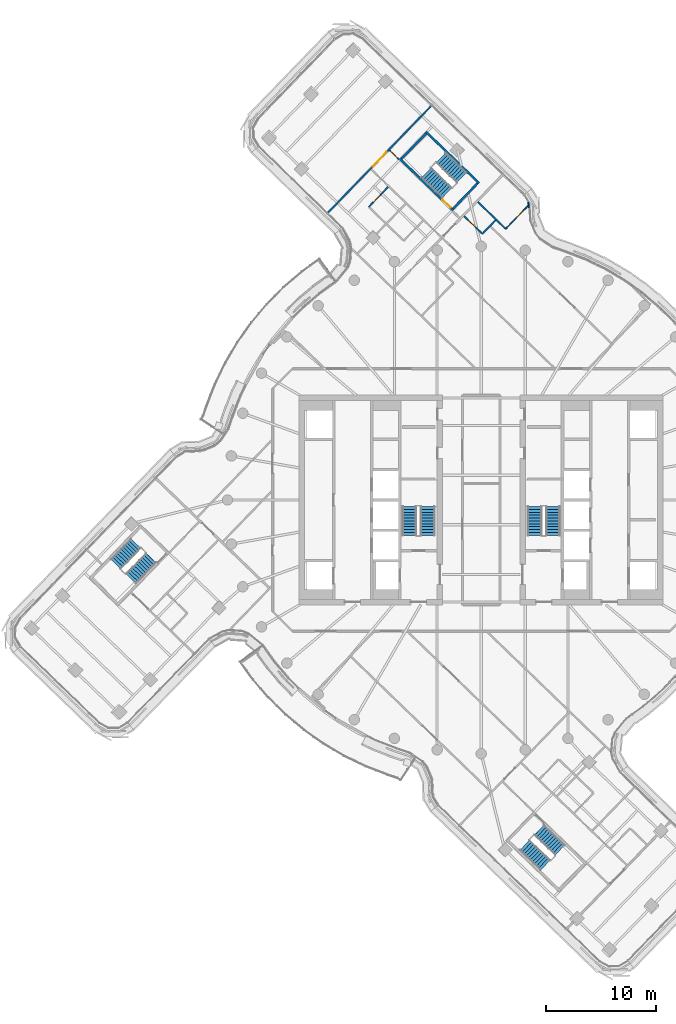
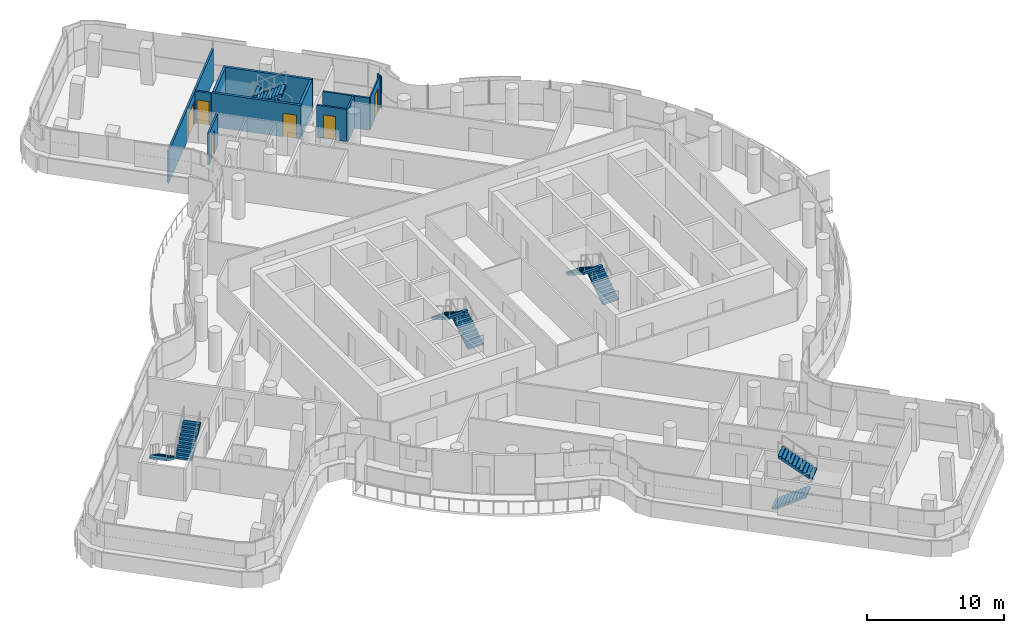
# One storey, part 23 of 31: 12 walls, 10 stair flights, 6 doors, 6 openings, 5 elements without a shape of their own.
"""IFC4 building model written with IfcOpenShell, lengths in metres."""

from ifc_helpers import new_model, si_unit, direction, frame, frame_2d, origin, place, context, subcontext, project, spatial, polyline, rectangle, outline, extrude, material, layer, layer_set, type_object, element, fill, aggregate, save


model = new_model("IFC4")

# Units and contexts
model_context = context("Model", 3, precision=1e-05, world=origin(), true_north=direction((0.0, 1.0)))
body_context = subcontext(model_context, "Body", "Model", "MODEL_VIEW")
ifc_project = project(units=[si_unit("LENGTHUNIT", "METRE"), si_unit("AREAUNIT", "SQUARE_METRE"), si_unit("VOLUMEUNIT", "CUBIC_METRE"), si_unit("PLANEANGLEUNIT", "RADIAN"), si_unit("MASSUNIT", "GRAM", prefix="KILO")], contexts=[model_context])

# Site, building, storey
site_placement = place(None, origin())
site = spatial("IfcSite", under=ifc_project, at=site_placement, CompositionType="ELEMENT")
building_placement = place(site_placement, origin())
building = spatial("IfcBuilding", under=site, at=building_placement, Name="Tamarind Cross Interchange Tower", CompositionType="ELEMENT")
storey_placement = place(building_placement, frame((0.0, 0.0, 200.5)))
storey = spatial("IfcBuildingStorey", under=building, at=storey_placement, Name="L50", CompositionType="ELEMENT", Elevation=200.5)

# Wall, opening, door
ifc_material_1 = material(Name="Gypsum board partition on steel studs", Category="steel")
ifc_layer_1 = layer(ifc_material_1, 0.10009765625)
ifc_layer_set_1 = layer_set([ifc_layer_1], Name="Gypsum board partition on steel studs")
wall_type_1 = type_object("IfcWallType", Name="Partition 100 mm EI 90", PredefinedType="PARTITIONING", material=ifc_layer_set_1)
wall_1_placement = place(storey_placement, frame((2.219970703125, 24.5830078125, 0.0), z_axis=(0.0, 0.0, 1.0), x_axis=(0.695100387208, 0.718912687121, 0.0)))
wall_1 = element("IfcWall", 1, at=wall_1_placement, inside=storey, type_object=wall_type_1, Name="Partition L50-054", PredefinedType="PARTITIONING", context=body_context, shape_type="SweptSolid", body=[
    extrude(rectangle(XDim=2.901611328125, YDim=0.10009765625, at=frame_2d((1.45068359375, 0.0))), origin(), (0.0, 0.0, 1.0), 2.864013671875),
])
opening_1_placement = place(wall_1_placement, frame((1.35009765625, 0.0, 0.0)))
opening_1 = element("IfcOpeningElement", 2, at=opening_1_placement, cuts=wall_1, Name="Opening D31", PredefinedType="OPENING", context=body_context, shape_type="SweptSolid", body=[
    extrude(rectangle(XDim=0.89990234375, YDim=2.10009765625, at=frame_2d((0.449951171875, 1.050048828125))), frame((0.0, 0.06005859375, 0.0), z_axis=(0.0, -1.0, 0.0), x_axis=(1.0, 0.0, 0.0)), (0.0, 0.0, 1.0), 0.1201171875),
])
ifc_material_2 = material(Name="Fire-resisting door set")
door_type_1 = type_object("IfcDoorType", Name="Interior door 900 x 2100 FD60S", OperationType="SINGLE_SWING_LEFT", PredefinedType="DOOR", material=ifc_material_2)
door_1_placement = place(opening_1_placement, origin())
door_1 = element("IfcDoor", 3, at=door_1_placement, inside=storey, type_object=door_type_1, Name="Door D31", OperationType="SINGLE_SWING_LEFT", OverallHeight=2.10009765625, OverallWidth=0.89990234375, PredefinedType="DOOR", context=body_context, shape_type="SweptSolid", body=[
    extrude(rectangle(XDim=0.89990234375, YDim=2.10009765625, at=frame_2d((0.449951171875, 1.050048828125))), frame((0.0, 0.02490234375, 0.0), z_axis=(0.0, -1.0, 0.0), x_axis=(1.0, 0.0, 0.0)), (0.0, 0.0, 1.0), 0.050048828125),
])
fill(opening_1, door_1)

# Wall
wall_2_placement = place(storey_placement, frame((4.3251953125, 26.481689453125, 0.0), z_axis=(0.0, 0.0, 1.0), x_axis=(-0.117181186143, 0.993110552564, 0.0)))
element("IfcWall", 4, at=wall_2_placement, inside=storey, type_object=wall_type_1, Name="Partition L50-072", PredefinedType="PARTITIONING", context=body_context, shape_type="SweptSolid", body=[
    extrude(rectangle(XDim=0.5, YDim=0.10009765625, at=frame_2d((0.25, 0.0))), origin(), (0.0, 0.0, 1.0), 2.864013671875),
])

# Wall, opening, door
ifc_layer_2 = layer(ifc_material_1, 0.14990234375)
ifc_layer_set_2 = layer_set([ifc_layer_2], Name="Gypsum board partition on steel studs")
wall_type_2 = type_object("IfcWallType", Name="Partition 150 mm EI 120", PredefinedType="PARTITIONING", material=ifc_layer_set_2)
wall_3_placement = place(storey_placement, frame((-8.3115234375, 31.703369140625, 0.0), z_axis=(0.0, 0.0, 1.0), x_axis=(0.719109009624, -0.694897281818, 0.0)))
wall_3 = element("IfcWall", 5, at=wall_3_placement, inside=storey, type_object=wall_type_2, Name="Partition L50-013", PredefinedType="PARTITIONING", context=body_context, shape_type="SweptSolid", body=[
    extrude(rectangle(XDim=1.1796875, YDim=0.14990234375, at=frame_2d((0.58984375, 0.0))), origin(), (0.0, 0.0, 1.0), 2.864013671875),
])
opening_2_placement = place(wall_3_placement, frame((0.1298828125, 0.0, 0.0)))
opening_2 = element("IfcOpeningElement", 6, at=opening_2_placement, cuts=wall_3, Name="Opening D08", PredefinedType="OPENING", context=body_context, shape_type="SweptSolid", body=[
    extrude(rectangle(XDim=0.89990234375, YDim=2.10009765625, at=frame_2d((0.449951171875, 1.050048828125))), frame((0.0, 0.0849609375, 0.0), z_axis=(0.0, -1.0, 0.0), x_axis=(1.0, 0.0, 0.0)), (0.0, 0.0, 1.0), 0.169921875),
])
door_2_placement = place(opening_2_placement, origin())
door_2 = element("IfcDoor", 7, at=door_2_placement, inside=storey, type_object=door_type_1, Name="Door D08", OperationType="SINGLE_SWING_RIGHT", OverallHeight=2.10009765625, OverallWidth=0.89990234375, PredefinedType="DOOR", context=body_context, shape_type="SweptSolid", body=[
    extrude(rectangle(XDim=0.89990234375, YDim=2.10009765625, at=frame_2d((0.449951171875, 1.050048828125))), frame((0.0, 0.02490234375, 0.0), z_axis=(0.0, -1.0, 0.0), x_axis=(1.0, 0.0, 0.0)), (0.0, 0.0, 1.0), 0.050048828125),
])
fill(opening_2, door_2)

wall_4_placement = place(storey_placement, frame((-1.548095703125, 25.721435546875, 0.0), z_axis=(0.0, 0.0, 1.0), x_axis=(0.718940736349, -0.695071375916, 0.0)))
wall_4 = element("IfcWall", 8, at=wall_4_placement, inside=storey, type_object=wall_type_2, Name="Partition L50-018", PredefinedType="PARTITIONING", context=body_context, shape_type="SweptSolid", body=[
    extrude(rectangle(XDim=2.219482421875, YDim=0.14990234375, at=frame_2d((1.10986328125, 0.0))), origin(), (0.0, 0.0, 1.0), 2.864013671875),
])
opening_3_placement = place(wall_4_placement, frame((0.5, 0.0, 0.0)))
opening_3 = element("IfcOpeningElement", 9, at=opening_3_placement, cuts=wall_4, Name="Opening D11", PredefinedType="OPENING", context=body_context, shape_type="SweptSolid", body=[
    extrude(rectangle(XDim=0.89990234375, YDim=2.10009765625, at=frame_2d((0.449951171875, 1.050048828125))), frame((0.0, 0.0849609375, 0.0), z_axis=(0.0, -1.0, 0.0), x_axis=(1.0, 0.0, 0.0)), (0.0, 0.0, 1.0), 0.169921875),
])
door_3_placement = place(opening_3_placement, origin())
door_3 = element("IfcDoor", 10, at=door_3_placement, inside=storey, type_object=door_type_1, Name="Door D11", OperationType="SINGLE_SWING_RIGHT", OverallHeight=2.10009765625, OverallWidth=0.89990234375, PredefinedType="DOOR", context=body_context, shape_type="SweptSolid", body=[
    extrude(rectangle(XDim=0.89990234375, YDim=2.10009765625, at=frame_2d((0.449951171875, 1.050048828125))), frame((0.0, 0.02490234375, 0.0), z_axis=(0.0, -1.0, 0.0), x_axis=(1.0, 0.0, 0.0)), (0.0, 0.0, 1.0), 0.050048828125),
])
fill(opening_3, door_3)

# Wall
wall_5_placement = place(storey_placement, frame((-0.297119140625, 27.0166015625, 0.0), z_axis=(0.0, 0.0, 1.0), x_axis=(0.718866356864, -0.695148301422, 0.0)))
element("IfcWall", 11, at=wall_5_placement, inside=storey, type_object=wall_type_2, Name="Partition L50-019", PredefinedType="PARTITIONING", context=body_context, shape_type="SweptSolid", body=[
    extrude(rectangle(XDim=3.499755859375, YDim=0.14990234375, at=frame_2d((1.75, 0.0))), origin(), (0.0, 0.0, 1.0), 2.864013671875),
])

# Wall, opening, door
wall_6_placement = place(storey_placement, frame((-13.88330078125, 26.0546875, 0.0), z_axis=(0.0, 0.0, 1.0), x_axis=(0.695083477894, 0.718929035969, 0.0)))
wall_6 = element("IfcWall", 12, at=wall_6_placement, inside=storey, type_object=wall_type_2, Name="Partition L50-047", PredefinedType="PARTITIONING", context=body_context, shape_type="SweptSolid", body=[
    extrude(rectangle(XDim=13.432861328125, YDim=0.14990234375, at=frame_2d((6.71630859375, 0.0))), origin(), (0.0, 0.0, 1.0), 2.864013671875),
])
opening_4_placement = place(wall_6_placement, frame((5.83349609375, 0.0, 0.0)))
opening_4 = element("IfcOpeningElement", 13, at=opening_4_placement, cuts=wall_6, Name="Opening D26", PredefinedType="OPENING", context=body_context, shape_type="SweptSolid", body=[
    extrude(rectangle(XDim=1.800048828125, YDim=2.10009765625, at=frame_2d((0.89990234375, 1.050048828125))), frame((0.0, 0.0849609375, 0.0), z_axis=(0.0, -1.0, 0.0), x_axis=(1.0, 0.0, 0.0)), (0.0, 0.0, 1.0), 0.169921875),
])
door_type_2 = type_object("IfcDoorType", Name="Interior door 1800 x 2100 FD60S", OperationType="DOUBLE_DOOR_SINGLE_SWING", PredefinedType="DOOR", material=ifc_material_2)
door_4_placement = place(opening_4_placement, origin())
door_4 = element("IfcDoor", 14, at=door_4_placement, inside=storey, type_object=door_type_2, Name="Door D26", OperationType="DOUBLE_DOOR_SINGLE_SWING", OverallHeight=2.10009765625, OverallWidth=1.800048828125, PredefinedType="DOOR", context=body_context, shape_type="SweptSolid", body=[
    extrude(rectangle(XDim=1.800048828125, YDim=2.10009765625, at=frame_2d((0.89990234375, 1.050048828125))), frame((0.0, 0.02490234375, 0.0), z_axis=(0.0, -1.0, 0.0), x_axis=(1.0, 0.0, 0.0)), (0.0, 0.0, 1.0), 0.050048828125),
])
fill(opening_4, door_4)

wall_7_placement = place(storey_placement, frame((-10.18994140625, 26.56591796875, 0.0), z_axis=(0.0, 0.0, 1.0), x_axis=(0.695038793362, 0.71897223571, 0.0)))
wall_7 = element("IfcWall", 15, at=wall_7_placement, inside=storey, type_object=wall_type_2, Name="Partition L50-050", PredefinedType="PARTITIONING", context=body_context, shape_type="SweptSolid", body=[
    extrude(rectangle(XDim=2.51953125, YDim=0.14990234375, at=frame_2d((1.259765625, 0.0))), origin(), (0.0, 0.0, 1.0), 2.864013671875),
])
opening_5_placement = place(wall_7_placement, frame((0.60009765625, 0.0, 0.0)))
opening_5 = element("IfcOpeningElement", 16, at=opening_5_placement, cuts=wall_7, Name="Opening D27", PredefinedType="OPENING", context=body_context, shape_type="SweptSolid", body=[
    extrude(rectangle(XDim=0.89990234375, YDim=2.10009765625, at=frame_2d((0.449951171875, 1.050048828125))), frame((0.0, 0.0849609375, 0.0), z_axis=(0.0, -1.0, 0.0), x_axis=(1.0, 0.0, 0.0)), (0.0, 0.0, 1.0), 0.169921875),
])
door_5_placement = place(opening_5_placement, frame((0.89990234375, 0.0, 0.0), z_axis=(0.0, 0.0, 1.0), x_axis=(-1.0, 0.0, 0.0)))
door_5 = element("IfcDoor", 17, at=door_5_placement, inside=storey, type_object=door_type_1, Name="Door D27", OperationType="SINGLE_SWING_LEFT", OverallHeight=2.10009765625, OverallWidth=0.89990234375, PredefinedType="DOOR", context=body_context, shape_type="SweptSolid", body=[
    extrude(rectangle(XDim=0.89990234375, YDim=2.10009765625, at=frame_2d((0.449951171875, 1.050048828125))), frame((0.0, 0.02490234375, 0.0), z_axis=(0.0, -1.0, 0.0), x_axis=(1.0, 0.0, 0.0)), (0.0, 0.0, 1.0), 0.050048828125),
])
fill(opening_5, door_5)

# Wall
wall_8_placement = place(storey_placement, frame((0.1025390625, 24.12548828125, 0.0), z_axis=(0.0, 0.0, 1.0), x_axis=(0.694508401996, 0.719484592995, 0.0)))
element("IfcWall", 18, at=wall_8_placement, inside=storey, type_object=wall_type_2, Name="Partition L50-056", PredefinedType="PARTITIONING", context=body_context, shape_type="SweptSolid", body=[
    extrude(rectangle(XDim=1.720458984375, YDim=0.14990234375, at=frame_2d((0.8603515625, 0.0))), origin(), (0.0, 0.0, 1.0), 2.864013671875),
])

# Wall, opening, door
ifc_material_3 = material(Name="Concrete C40", Category="concrete")
ifc_layer_3 = layer(ifc_material_3, 0.199951171875)
ifc_layer_set_3 = layer_set([ifc_layer_3], Name="Concrete C40")
wall_type_3 = type_object("IfcWallType", Name="Stair shaft wall 200 mm Concrete C40", PredefinedType="SHEAR", material=ifc_layer_set_3)
wall_9_placement = place(storey_placement, frame((-2.547607421875, 26.270751953125, -0.139892578125), z_axis=(0.0, 0.0, 1.0), x_axis=(-0.718993231632, 0.695017073796, 0.0)))
wall_9 = element("IfcWall", 19, at=wall_9_placement, inside=storey, type_object=wall_type_3, Name="Core wall CWL-L50-ST4-H", PredefinedType="SHEAR", context=body_context, shape_type="SweptSolid", body=[
    extrude(rectangle(XDim=6.7001953125, YDim=0.199951171875, at=frame_2d((3.35009765625, 0.0))), origin(), (0.0, 0.0, 1.0), 3.00390625),
])
opening_6_placement = place(wall_9_placement, frame((0.35009765625, 0.0, 0.0)))
opening_6 = element("IfcOpeningElement", 20, at=opening_6_placement, cuts=wall_9, Name="Opening ST4L50", PredefinedType="OPENING", context=body_context, shape_type="SweptSolid", body=[
    extrude(rectangle(XDim=1.0, YDim=2.10009765625, at=frame_2d((0.5, 1.050048828125))), frame((0.0, 0.10986328125, 0.0), z_axis=(0.0, -1.0, 0.0), x_axis=(1.0, 0.0, 0.0)), (0.0, 0.0, 1.0), 0.219970703125),
])
ifc_material_4 = material(Name="Steel, fire-resisting", Category="steel")
door_type_3 = type_object("IfcDoorType", Name="Core fire door 1000 x 2100 FD90", OperationType="SINGLE_SWING_LEFT", PredefinedType="DOOR", material=ifc_material_4)
door_6_placement = place(opening_6_placement, origin())
door_6 = element("IfcDoor", 21, at=door_6_placement, inside=storey, type_object=door_type_3, Name="L50 stair door ST4", OperationType="SINGLE_SWING_LEFT", OverallHeight=2.10009765625, OverallWidth=1.0, PredefinedType="DOOR", context=body_context, shape_type="SweptSolid", body=[
    extrude(rectangle(XDim=1.0, YDim=2.10009765625, at=frame_2d((0.5, 1.050048828125))), frame((0.0, 0.02490234375, 0.0), z_axis=(0.0, -1.0, 0.0), x_axis=(1.0, 0.0, 0.0)), (0.0, 0.0, 1.0), 0.050048828125),
])
fill(opening_6, door_6)

# Walls
wall_10_placement = place(storey_placement, frame((-0.1845703125, 28.71533203125, -0.139892578125), z_axis=(0.0, 0.0, 1.0), x_axis=(-0.718975629644, 0.695035282542, 0.0)))
element("IfcWall", 22, at=wall_10_placement, inside=storey, type_object=wall_type_3, Name="Core wall CWL-L50-ST4-C", PredefinedType="SHEAR", context=body_context, shape_type="SweptSolid", body=[
    extrude(rectangle(XDim=6.699951171875, YDim=0.199951171875, at=frame_2d((3.35009765625, 0.0))), origin(), (0.0, 0.0, 1.0), 3.00390625),
])
wall_11_placement = place(storey_placement, frame((-0.325927734375, 28.712890625, -0.139892578125), z_axis=(0.0, 0.0, 1.0), x_axis=(-0.695027355379, -0.718983292765, 0.0)))
element("IfcWall", 23, at=wall_11_placement, inside=storey, type_object=wall_type_3, Name="Core wall CWL-L50-ST4-CE", PredefinedType="SHEAR", context=body_context, shape_type="SweptSolid", body=[
    extrude(rectangle(XDim=3.199951171875, YDim=0.199951171875, at=frame_2d((1.60009765625, 0.0))), origin(), (0.0, 0.0, 1.0), 3.00390625),
])
wall_12_placement = place(storey_placement, frame((0.0, 0.0, -0.139892578125)))
element("IfcWall", 24, at=wall_12_placement, inside=storey, type_object=wall_type_3, Name="Core wall CWL-L50-ST4-CF", PredefinedType="SHEAR", context=body_context, shape_type="SweptSolid", body=[
    extrude(outline(polyline([(-4.927490234375, 33.1611328125), (-5.0712890625, 33.300048828125), (-7.29541015625, 30.999267578125), (-7.151611328125, 30.8603515625), (-4.927490234375, 33.1611328125)])), origin(), (0.0, 0.0, 1.0), 3.00390625),
])

# Stair, stair flights
ifc_material_5 = material(Name="Exit stair")
stair_type = type_object("IfcStairType", Name="Exit stair", PredefinedType="HALF_TURN_STAIR", material=ifc_material_5)
stair_1_placement = place(storey_placement, origin())
stair_1 = element("IfcStair", 25, at=stair_1_placement, inside=storey, type_object=stair_type, Name="L50 exit stair ST1", PredefinedType="HALF_TURN_STAIR")
ifc_material_6 = material(Name="Exit stair flight")
stair_flight_type = type_object("IfcStairFlightType", Name="Exit stair flight", PredefinedType="STRAIGHT", material=ifc_material_6)
stair_flight_1_placement = place(storey_placement, frame((-4.85009765625, -3.199951171875, 0.0), z_axis=(0.0, 0.0, 1.0), x_axis=(0.0, 1.0, 0.0)))
stair_flight_1 = element("IfcStairFlight", 26, at=stair_flight_1_placement, type_object=stair_flight_type, Name="ST1 flight 1", NumberOfRisers=11, NumberOfTreads=10, PredefinedType="STRAIGHT", RiserHeight=0.163636364, TreadLength=0.26, context=body_context, shape_type="SweptSolid", body=[
    extrude(outline(polyline([(0.0, 0.0), (0.0, 0.16357421875), (0.260009765625, 0.16357421875), (0.260009765625, 0.327392578125), (0.52001953125, 0.327392578125), (0.52001953125, 0.490966796875), (0.780029296875, 0.490966796875), (0.780029296875, 0.654541015625), (1.0400390625, 0.654541015625), (1.0400390625, 0.818115234375), (1.300048828125, 0.818115234375), (1.300048828125, 0.98193359375), (1.56005859375, 0.98193359375), (1.56005859375, 1.1455078125), (1.820068359375, 1.1455078125), (1.820068359375, 1.30908203125), (2.080078125, 1.30908203125), (2.080078125, 1.47265625), (2.340087890625, 1.47265625), (2.340087890625, 1.636474609375), (2.60009765625, 1.636474609375), (2.60009765625, 1.800048828125), (2.60009765625, 1.459228515625), (0.281494140625, 0.0), (0.0, 0.0)])), frame((0.0, 0.64990234375, 0.0), z_axis=(0.0, -1.0, 0.0), x_axis=(1.0, 0.0, 0.0)), (0.0, 0.0, 1.0), 1.300048828125),
])
stair_flight_2_placement = place(storey_placement, frame((-6.5, -0.60009765625, 1.800048828125), z_axis=(0.0, 0.0, 1.0), x_axis=(0.0, -1.0, 0.0)))
stair_flight_2 = element("IfcStairFlight", 27, at=stair_flight_2_placement, type_object=stair_flight_type, Name="ST1 flight 2", NumberOfRisers=11, NumberOfTreads=10, PredefinedType="STRAIGHT", RiserHeight=0.163636364, TreadLength=0.26, context=body_context, shape_type="SweptSolid", body=[
    extrude(outline(polyline([(0.0, 0.0), (0.0, 0.16357421875), (0.260009765625, 0.16357421875), (0.260009765625, 0.327392578125), (0.52001953125, 0.327392578125), (0.52001953125, 0.490966796875), (0.780029296875, 0.490966796875), (0.780029296875, 0.654541015625), (1.0400390625, 0.654541015625), (1.0400390625, 0.818115234375), (1.300048828125, 0.818115234375), (1.300048828125, 0.98193359375), (1.56005859375, 0.98193359375), (1.56005859375, 1.1455078125), (1.820068359375, 1.1455078125), (1.820068359375, 1.30908203125), (2.080078125, 1.30908203125), (2.080078125, 1.47265625), (2.340087890625, 1.47265625), (2.340087890625, 1.636474609375), (2.60009765625, 1.636474609375), (2.60009765625, 1.679931640625), (2.612060546875, 1.679931640625), (2.612060546875, 1.466796875), (0.281494140625, 0.0), (0.0, 0.0)])), frame((0.0, 0.64990234375, 0.0), z_axis=(0.0, -1.0, 0.0), x_axis=(1.0, 0.0, 0.0)), (0.0, 0.0, 1.0), 1.300048828125),
])
aggregate(stair_1, [stair_flight_1, stair_flight_2])

stair_2_placement = place(storey_placement, origin())
stair_2 = element("IfcStair", 28, at=stair_2_placement, inside=storey, type_object=stair_type, Name="L50 exit stair ST2", PredefinedType="HALF_TURN_STAIR")
stair_flight_3_placement = place(storey_placement, frame((6.5, -3.199951171875, 0.0), z_axis=(0.0, 0.0, 1.0), x_axis=(0.0, 1.0, 0.0)))
stair_flight_3 = element("IfcStairFlight", 29, at=stair_flight_3_placement, type_object=stair_flight_type, Name="ST2 flight 1", NumberOfRisers=11, NumberOfTreads=10, PredefinedType="STRAIGHT", RiserHeight=0.163636364, TreadLength=0.26, context=body_context, shape_type="SweptSolid", body=[
    extrude(outline(polyline([(0.0, 0.0), (0.0, 0.16357421875), (0.260009765625, 0.16357421875), (0.260009765625, 0.327392578125), (0.52001953125, 0.327392578125), (0.52001953125, 0.490966796875), (0.780029296875, 0.490966796875), (0.780029296875, 0.654541015625), (1.0400390625, 0.654541015625), (1.0400390625, 0.818115234375), (1.300048828125, 0.818115234375), (1.300048828125, 0.98193359375), (1.56005859375, 0.98193359375), (1.56005859375, 1.1455078125), (1.820068359375, 1.1455078125), (1.820068359375, 1.30908203125), (2.080078125, 1.30908203125), (2.080078125, 1.47265625), (2.340087890625, 1.47265625), (2.340087890625, 1.636474609375), (2.60009765625, 1.636474609375), (2.60009765625, 1.800048828125), (2.60009765625, 1.459228515625), (0.281494140625, 0.0), (0.0, 0.0)])), frame((0.0, 0.64990234375, 0.0), z_axis=(0.0, -1.0, 0.0), x_axis=(1.0, 0.0, 0.0)), (0.0, 0.0, 1.0), 1.300048828125),
])
stair_flight_4_placement = place(storey_placement, frame((4.85009765625, -0.60009765625, 1.800048828125), z_axis=(0.0, 0.0, 1.0), x_axis=(0.0, -1.0, 0.0)))
stair_flight_4 = element("IfcStairFlight", 30, at=stair_flight_4_placement, type_object=stair_flight_type, Name="ST2 flight 2", NumberOfRisers=11, NumberOfTreads=10, PredefinedType="STRAIGHT", RiserHeight=0.163636364, TreadLength=0.26, context=body_context, shape_type="SweptSolid", body=[
    extrude(outline(polyline([(0.0, 0.0), (0.0, 0.16357421875), (0.260009765625, 0.16357421875), (0.260009765625, 0.327392578125), (0.52001953125, 0.327392578125), (0.52001953125, 0.490966796875), (0.780029296875, 0.490966796875), (0.780029296875, 0.654541015625), (1.0400390625, 0.654541015625), (1.0400390625, 0.818115234375), (1.300048828125, 0.818115234375), (1.300048828125, 0.98193359375), (1.56005859375, 0.98193359375), (1.56005859375, 1.1455078125), (1.820068359375, 1.1455078125), (1.820068359375, 1.30908203125), (2.080078125, 1.30908203125), (2.080078125, 1.47265625), (2.340087890625, 1.47265625), (2.340087890625, 1.636474609375), (2.60009765625, 1.636474609375), (2.60009765625, 1.679931640625), (2.612060546875, 1.679931640625), (2.612060546875, 1.466796875), (0.281494140625, 0.0), (0.0, 0.0)])), frame((0.0, 0.64990234375, 0.0), z_axis=(0.0, -1.0, 0.0), x_axis=(1.0, 0.0, 0.0)), (0.0, 0.0, 1.0), 1.300048828125),
])
aggregate(stair_2, [stair_flight_3, stair_flight_4])

stair_3_placement = place(storey_placement, origin())
stair_3 = element("IfcStair", 31, at=stair_3_placement, inside=storey, type_object=stair_type, Name="L50 exit stair ST4", PredefinedType="HALF_TURN_STAIR")
stair_flight_5_placement = place(storey_placement, frame((-1.784423828125, 29.21875, 0.0), z_axis=(0.0, 0.0, 1.0), x_axis=(-0.718990536097, 0.695019862308, 0.0)))
stair_flight_5 = element("IfcStairFlight", 32, at=stair_flight_5_placement, type_object=stair_flight_type, Name="ST4 flight 1", NumberOfRisers=11, NumberOfTreads=10, PredefinedType="STRAIGHT", RiserHeight=0.163636364, TreadLength=0.26, context=body_context, shape_type="SweptSolid", body=[
    extrude(outline(polyline([(0.0, 0.0), (0.0, 0.16357421875), (0.260009765625, 0.16357421875), (0.260009765625, 0.327392578125), (0.52001953125, 0.327392578125), (0.52001953125, 0.490966796875), (0.780029296875, 0.490966796875), (0.780029296875, 0.654541015625), (1.0400390625, 0.654541015625), (1.0400390625, 0.818115234375), (1.300048828125, 0.818115234375), (1.300048828125, 0.98193359375), (1.56005859375, 0.98193359375), (1.56005859375, 1.1455078125), (1.820068359375, 1.1455078125), (1.820068359375, 1.30908203125), (2.080078125, 1.30908203125), (2.080078125, 1.47265625), (2.340087890625, 1.47265625), (2.340087890625, 1.636474609375), (2.60009765625, 1.636474609375), (2.60009765625, 1.800048828125), (2.60009765625, 1.459228515625), (0.281494140625, 0.0), (0.0, 0.0)])), frame((0.0, 0.64990234375, 0.0), z_axis=(0.0, -1.0, 0.0), x_axis=(1.0, 0.0, 0.0)), (0.0, 0.0, 1.0), 1.300048828125),
])
stair_flight_6_placement = place(storey_placement, frame((-4.97412109375, 29.65966796875, 1.800048828125), z_axis=(0.0, 0.0, 1.0), x_axis=(0.718990536097, -0.695019862308, 0.0)))
stair_flight_6 = element("IfcStairFlight", 33, at=stair_flight_6_placement, type_object=stair_flight_type, Name="ST4 flight 2", NumberOfRisers=11, NumberOfTreads=10, PredefinedType="STRAIGHT", RiserHeight=0.163636364, TreadLength=0.26, context=body_context, shape_type="SweptSolid", body=[
    extrude(outline(polyline([(0.0, 0.0), (0.0, 0.16357421875), (0.260009765625, 0.16357421875), (0.260009765625, 0.327392578125), (0.52001953125, 0.327392578125), (0.52001953125, 0.490966796875), (0.780029296875, 0.490966796875), (0.780029296875, 0.654541015625), (1.0400390625, 0.654541015625), (1.0400390625, 0.818115234375), (1.300048828125, 0.818115234375), (1.300048828125, 0.98193359375), (1.56005859375, 0.98193359375), (1.56005859375, 1.1455078125), (1.820068359375, 1.1455078125), (1.820068359375, 1.30908203125), (2.080078125, 1.30908203125), (2.080078125, 1.47265625), (2.340087890625, 1.47265625), (2.340087890625, 1.636474609375), (2.60009765625, 1.636474609375), (2.60009765625, 1.679931640625), (2.612060546875, 1.679931640625), (2.612060546875, 1.466796875), (0.281494140625, 0.0), (0.0, 0.0)])), frame((0.0, 0.64990234375, 0.0), z_axis=(0.0, -1.0, 0.0), x_axis=(1.0, 0.0, 0.0)), (0.0, 0.0, 1.0), 1.300048828125),
])
aggregate(stair_3, [stair_flight_5, stair_flight_6])

stair_4_placement = place(storey_placement, origin())
stair_4 = element("IfcStair", 34, at=stair_4_placement, inside=storey, type_object=stair_type, Name="L50 exit stair ST5", PredefinedType="HALF_TURN_STAIR")
stair_flight_7_placement = place(storey_placement, frame((-31.3037109375, -3.941162109375, 0.0), z_axis=(0.0, 0.0, 1.0), x_axis=(-0.695019862308, -0.718990536097, 0.0)))
stair_flight_7 = element("IfcStairFlight", 35, at=stair_flight_7_placement, type_object=stair_flight_type, Name="ST5 flight 1", NumberOfRisers=11, NumberOfTreads=10, PredefinedType="STRAIGHT", RiserHeight=0.163636364, TreadLength=0.26, context=body_context, shape_type="SweptSolid", body=[
    extrude(outline(polyline([(0.0, 0.0), (0.0, 0.16357421875), (0.260009765625, 0.16357421875), (0.260009765625, 0.327392578125), (0.52001953125, 0.327392578125), (0.52001953125, 0.490966796875), (0.780029296875, 0.490966796875), (0.780029296875, 0.654541015625), (1.0400390625, 0.654541015625), (1.0400390625, 0.818115234375), (1.300048828125, 0.818115234375), (1.300048828125, 0.98193359375), (1.56005859375, 0.98193359375), (1.56005859375, 1.1455078125), (1.820068359375, 1.1455078125), (1.820068359375, 1.30908203125), (2.080078125, 1.30908203125), (2.080078125, 1.47265625), (2.340087890625, 1.47265625), (2.340087890625, 1.636474609375), (2.60009765625, 1.636474609375), (2.60009765625, 1.800048828125), (2.60009765625, 1.459228515625), (0.281494140625, 0.0), (0.0, 0.0)])), frame((0.0, 0.64990234375, 0.0), z_axis=(0.0, -1.0, 0.0), x_axis=(1.0, 0.0, 0.0)), (0.0, 0.0, 1.0), 1.300048828125),
])
stair_flight_8_placement = place(storey_placement, frame((-31.74462890625, -7.131103515625, 1.800048828125), z_axis=(0.0, 0.0, 1.0), x_axis=(0.695019862308, 0.718990536097, 0.0)))
stair_flight_8 = element("IfcStairFlight", 36, at=stair_flight_8_placement, type_object=stair_flight_type, Name="ST5 flight 2", NumberOfRisers=11, NumberOfTreads=10, PredefinedType="STRAIGHT", RiserHeight=0.163636364, TreadLength=0.26, context=body_context, shape_type="SweptSolid", body=[
    extrude(outline(polyline([(0.0, 0.0), (0.0, 0.16357421875), (0.260009765625, 0.16357421875), (0.260009765625, 0.327392578125), (0.52001953125, 0.327392578125), (0.52001953125, 0.490966796875), (0.780029296875, 0.490966796875), (0.780029296875, 0.654541015625), (1.0400390625, 0.654541015625), (1.0400390625, 0.818115234375), (1.300048828125, 0.818115234375), (1.300048828125, 0.98193359375), (1.56005859375, 0.98193359375), (1.56005859375, 1.1455078125), (1.820068359375, 1.1455078125), (1.820068359375, 1.30908203125), (2.080078125, 1.30908203125), (2.080078125, 1.47265625), (2.340087890625, 1.47265625), (2.340087890625, 1.636474609375), (2.60009765625, 1.636474609375), (2.60009765625, 1.679931640625), (2.612060546875, 1.679931640625), (2.612060546875, 1.466796875), (0.281494140625, 0.0), (0.0, 0.0)])), frame((0.0, 0.64990234375, 0.0), z_axis=(0.0, -1.0, 0.0), x_axis=(1.0, 0.0, 0.0)), (0.0, 0.0, 1.0), 1.300048828125),
])
aggregate(stair_4, [stair_flight_7, stair_flight_8])

stair_5_placement = place(storey_placement, origin())
stair_5 = element("IfcStair", 37, at=stair_5_placement, inside=storey, type_object=stair_type, Name="L50 exit stair ST6", PredefinedType="HALF_TURN_STAIR")
stair_flight_9_placement = place(storey_placement, frame((3.941162109375, -31.3037109375, 0.0), z_axis=(0.0, 0.0, 1.0), x_axis=(0.718990536097, -0.695019862308, 0.0)))
stair_flight_9 = element("IfcStairFlight", 38, at=stair_flight_9_placement, type_object=stair_flight_type, Name="ST6 flight 1", NumberOfRisers=11, NumberOfTreads=10, PredefinedType="STRAIGHT", RiserHeight=0.163636364, TreadLength=0.26, context=body_context, shape_type="SweptSolid", body=[
    extrude(outline(polyline([(0.0, 0.0), (0.0, 0.16357421875), (0.260009765625, 0.16357421875), (0.260009765625, 0.327392578125), (0.52001953125, 0.327392578125), (0.52001953125, 0.490966796875), (0.780029296875, 0.490966796875), (0.780029296875, 0.654541015625), (1.0400390625, 0.654541015625), (1.0400390625, 0.818115234375), (1.300048828125, 0.818115234375), (1.300048828125, 0.98193359375), (1.56005859375, 0.98193359375), (1.56005859375, 1.1455078125), (1.820068359375, 1.1455078125), (1.820068359375, 1.30908203125), (2.080078125, 1.30908203125), (2.080078125, 1.47265625), (2.340087890625, 1.47265625), (2.340087890625, 1.636474609375), (2.60009765625, 1.636474609375), (2.60009765625, 1.800048828125), (2.60009765625, 1.459228515625), (0.281494140625, 0.0), (0.0, 0.0)])), frame((0.0, 0.64990234375, 0.0), z_axis=(0.0, -1.0, 0.0), x_axis=(1.0, 0.0, 0.0)), (0.0, 0.0, 1.0), 1.300048828125),
])
stair_flight_10_placement = place(storey_placement, frame((7.131103515625, -31.74462890625, 1.800048828125), z_axis=(0.0, 0.0, 1.0), x_axis=(-0.718990536097, 0.695019862308, 0.0)))
stair_flight_10 = element("IfcStairFlight", 39, at=stair_flight_10_placement, type_object=stair_flight_type, Name="ST6 flight 2", NumberOfRisers=11, NumberOfTreads=10, PredefinedType="STRAIGHT", RiserHeight=0.163636364, TreadLength=0.26, context=body_context, shape_type="SweptSolid", body=[
    extrude(outline(polyline([(0.0, 0.0), (0.0, 0.16357421875), (0.260009765625, 0.16357421875), (0.260009765625, 0.327392578125), (0.52001953125, 0.327392578125), (0.52001953125, 0.490966796875), (0.780029296875, 0.490966796875), (0.780029296875, 0.654541015625), (1.0400390625, 0.654541015625), (1.0400390625, 0.818115234375), (1.300048828125, 0.818115234375), (1.300048828125, 0.98193359375), (1.56005859375, 0.98193359375), (1.56005859375, 1.1455078125), (1.820068359375, 1.1455078125), (1.820068359375, 1.30908203125), (2.080078125, 1.30908203125), (2.080078125, 1.47265625), (2.340087890625, 1.47265625), (2.340087890625, 1.636474609375), (2.60009765625, 1.636474609375), (2.60009765625, 1.679931640625), (2.612060546875, 1.679931640625), (2.612060546875, 1.466796875), (0.281494140625, 0.0), (0.0, 0.0)])), frame((0.0, 0.64990234375, 0.0), z_axis=(0.0, -1.0, 0.0), x_axis=(1.0, 0.0, 0.0)), (0.0, 0.0, 1.0), 1.300048828125),
])
aggregate(stair_5, [stair_flight_9, stair_flight_10])

save(model, "model.ifc")
